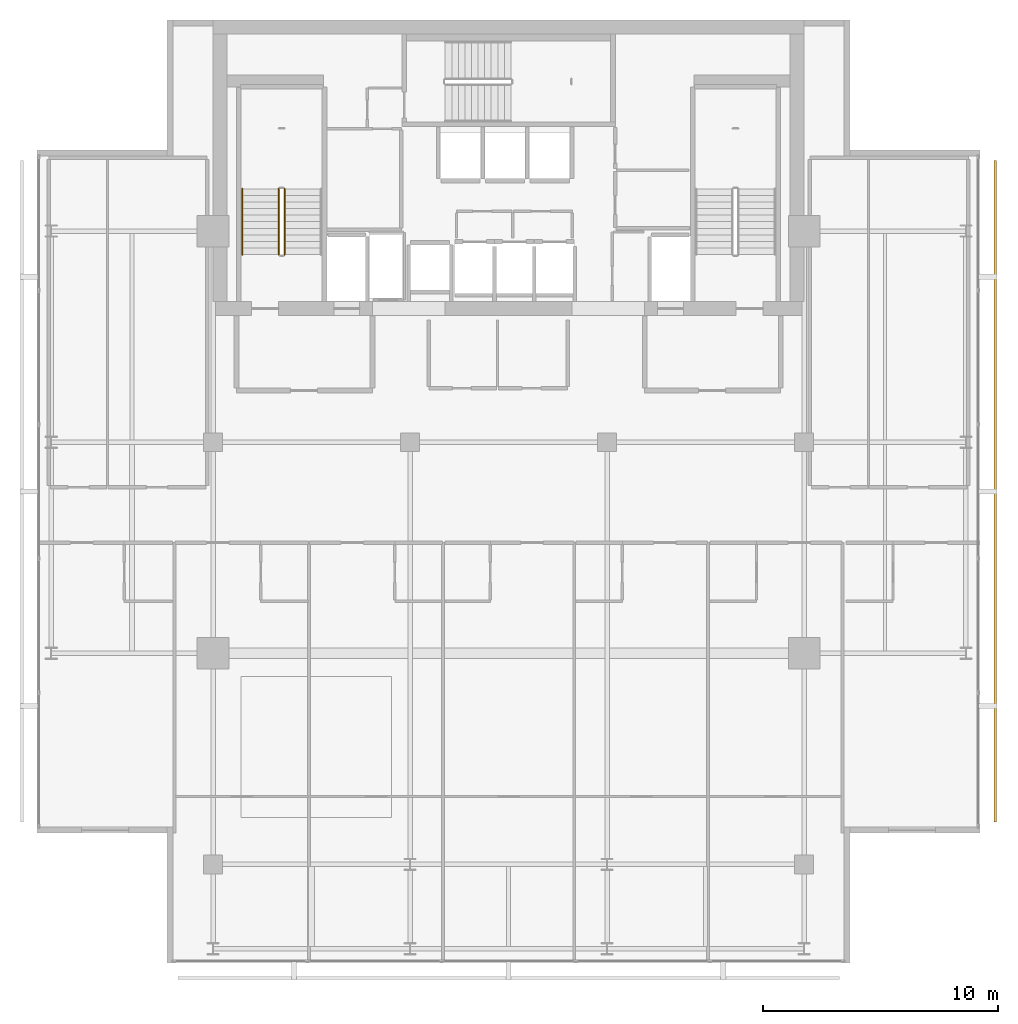
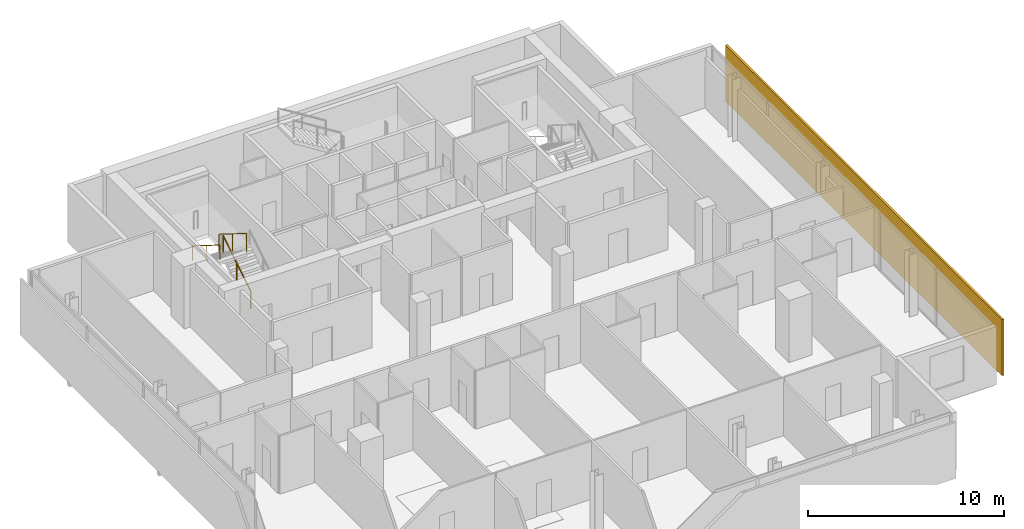
# One storey, part 23 of 24: 3 railings, 1 shading device.
"""IFC4 building model written with IfcOpenShell, lengths in metres."""

from ifc_helpers import new_model, si_unit, direction, frame, origin, origin_2d, place, context, subcontext, project, spatial, rectangle, circle, extrude, material, layer, layer_set, type_object, element, save


model = new_model("IFC4")

# Units and contexts
model_context = context("Model", 3, precision=1e-05, world=origin(), true_north=direction((0.0, 1.0)))
body_context = subcontext(model_context, "Body", "Model", "MODEL_VIEW")
ifc_project = project(units=[si_unit("LENGTHUNIT", "METRE"), si_unit("AREAUNIT", "SQUARE_METRE"), si_unit("VOLUMEUNIT", "CUBIC_METRE"), si_unit("PLANEANGLEUNIT", "RADIAN"), si_unit("MASSUNIT", "GRAM", prefix="KILO")], contexts=[model_context])

# Site, building, storey
site_placement = place(None, origin())
site = spatial("IfcSite", under=ifc_project, at=site_placement, CompositionType="ELEMENT")
building_placement = place(site_placement, origin())
building = spatial("IfcBuilding", under=site, at=building_placement, Name="Maruvema Waterfront Hotel and Observation Tower", CompositionType="ELEMENT")
storey_placement = place(building_placement, frame((0.0, 0.0, 325.85009765625)))
storey = spatial("IfcBuildingStorey", under=building, at=storey_placement, Name="L80", CompositionType="ELEMENT", Elevation=325.85009765625)

# Railings
ifc_material_1 = material(Name="Brushed stainless steel Grade 316", Category="steel")
railing_type_1 = type_object("IfcRailingType", Name="Ramp Continuous Wall Handrail 920 mm", PredefinedType="HANDRAIL", material=ifc_material_1)
railing_1_placement = place(storey_placement, frame((26.449951171875, 46.800048828125, 2.099853515625)))
element("IfcRailing", 1, at=railing_1_placement, inside=storey, type_object=railing_type_1, Name="L80 ST-01 stair handrail 2", PredefinedType="HANDRAIL", context=body_context, shape_type="SweptSolid", body=[
    extrude(circle(Radius=0.02392578125, at=origin_2d()), frame((0.0, 0.0, 0.89599609375), z_axis=(0.0, -0.848002457836, 0.529992293815), x_axis=(1.0, 0.0, 0.0)), (0.0, 0.0, 1.0), 3.302001953125),
    extrude(circle(Radius=0.02099609375, at=origin_2d()), origin(), (0.0, 0.0, 1.0), 0.871826171875),
    extrude(circle(Radius=0.02099609375, at=origin_2d()), frame((0.0, -1.39990234375, 0.875)), (0.0, 0.0, 1.0), 0.871826171875),
    extrude(circle(Radius=0.02099609375, at=origin_2d()), frame((0.0, -2.800048828125, 1.75)), (0.0, 0.0, 1.0), 0.871826171875),
])
ifc_material_2 = material(Name="Brushed stainless steel Grade 316", Category="steel")
railing_type_2 = type_object("IfcRailingType", Name="Ramp and Terrace Guard Balustrade 1100 mm", PredefinedType="BALUSTRADE", material=ifc_material_2)
railing_2_placement = place(storey_placement, frame((28.25, 44.0, 0.1748046875)))
element("IfcRailing", 2, at=railing_2_placement, inside=storey, type_object=railing_type_2, Name="L80 ST-01 stair guard 1", PredefinedType="BALUSTRADE", context=body_context, shape_type="SweptSolid", body=[
    extrude(circle(Radius=0.02392578125, at=origin_2d()), frame((0.0, 0.0, 1.076171875), z_axis=(0.0, 0.848002457836, 0.529992293815), x_axis=(-1.0, 0.0, 0.0)), (0.0, 0.0, 1.0), 3.302001953125),
    extrude(circle(Radius=0.02099609375, at=origin_2d()), origin(), (0.0, 0.0, 1.0), 1.052001953125),
    extrude(circle(Radius=0.02099609375, at=origin_2d()), frame((0.0, 1.39990234375, 0.875)), (0.0, 0.0, 1.0), 1.052001953125),
    extrude(circle(Radius=0.02099609375, at=origin_2d()), frame((0.0, 2.800048828125, 1.75)), (0.0, 0.0, 1.0), 1.052001953125),
])
railing_3_placement = place(storey_placement, frame((28.0, 46.800048828125, 2.099853515625)))
element("IfcRailing", 3, at=railing_3_placement, inside=storey, type_object=railing_type_2, Name="L80 ST-01 stair guard 3", PredefinedType="BALUSTRADE", context=body_context, shape_type="SweptSolid", body=[
    extrude(circle(Radius=0.02392578125, at=origin_2d()), frame((0.0, 0.0, 1.076171875), z_axis=(0.0, -0.848002457836, 0.529992293815), x_axis=(1.0, 0.0, 0.0)), (0.0, 0.0, 1.0), 3.302001953125),
    extrude(circle(Radius=0.02099609375, at=origin_2d()), origin(), (0.0, 0.0, 1.0), 1.052001953125),
    extrude(circle(Radius=0.02099609375, at=origin_2d()), frame((0.0, -1.39990234375, 0.875)), (0.0, 0.0, 1.0), 1.052001953125),
    extrude(circle(Radius=0.02099609375, at=origin_2d()), frame((0.0, -2.800048828125, 1.75)), (0.0, 0.0, 1.0), 1.052001953125),
])

# Shading device
ifc_material_3 = material(Name="Honed travertine stone and anodised architectural bronze", Category="masonry")
ifc_layer = layer(ifc_material_3, 0.1201171875, Name="Ventilated Outer Skin Cobogo Stone-and-Bronze Screen 120 mm")
ifc_layer_set = layer_set([ifc_layer], Name="Honed travertine stone and anodised architectural bronze")
shading_device_type = type_object("IfcShadingDeviceType", Name="Ventilated Outer Skin Cobogo Stone-and-Bronze Screen 120 mm", PredefinedType="USERDEFINED", material=ifc_layer_set)
shading_device_placement = place(storey_placement, frame((58.550048828125, 33.89990234375, 0.06005859375), z_axis=(0.0, 0.0, 1.0), x_axis=(0.0, 1.0, 0.0)))
element("IfcShadingDevice", 4, at=shading_device_placement, inside=storey, type_object=shading_device_type, Name="L80 Ventilated Double-Skin Outer Cobogo Screen OS-L80-E", ObjectType="OUTER SKIN SCREEN", PredefinedType="USERDEFINED", context=body_context, shape_type="SweptSolid", body=[
    extrude(rectangle(XDim=28.199951171875, YDim=0.1201171875, at=origin_2d()), origin(), (0.0, 0.0, 1.0), 3.489990234375),
])

save(model, "model.ifc")
